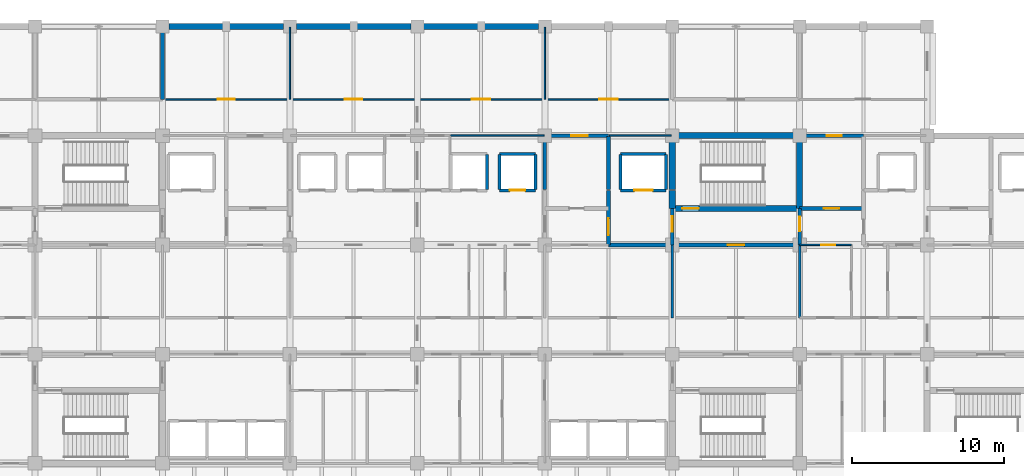
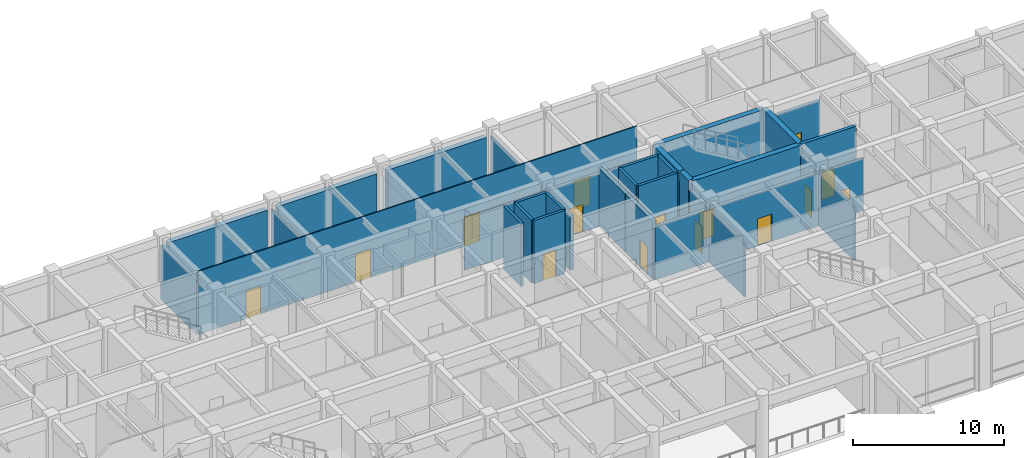
# One storey, part 35 of 51: 35 walls, 15 doors, 15 openings.
"""IFC4 building model written with IfcOpenShell, lengths in metres."""

from ifc_helpers import new_model, si_unit, direction, frame, frame_2d, origin, place, context, subcontext, project, spatial, rectangle, extrude, material, layer, layer_set, type_object, element, fill, save


model = new_model("IFC4")

# Units and contexts
model_context = context("Model", 3, precision=1e-05, world=origin(), true_north=direction((0.0, 1.0)))
body_context = subcontext(model_context, "Body", "Model", "MODEL_VIEW")
ifc_project = project(units=[si_unit("LENGTHUNIT", "METRE"), si_unit("AREAUNIT", "SQUARE_METRE"), si_unit("VOLUMEUNIT", "CUBIC_METRE"), si_unit("PLANEANGLEUNIT", "RADIAN"), si_unit("MASSUNIT", "GRAM", prefix="KILO")], contexts=[model_context])

# Site, building, storey
site_placement = place(None, origin())
site = spatial("IfcSite", under=ifc_project, at=site_placement, CompositionType="ELEMENT")
building_placement = place(site_placement, origin())
building = spatial("IfcBuilding", under=site, at=building_placement, Name="Chengyuan Square Courthouse", CompositionType="ELEMENT")
storey_placement = place(building_placement, frame((0.0, 0.0, 10.800048828125)))
storey = spatial("IfcBuildingStorey", under=building, at=storey_placement, Name="L03", CompositionType="ELEMENT", Elevation=10.800048828125)

# Walls
ifc_material_1 = material(Name="Concrete C40", Category="concrete")
ifc_layer_1 = layer(ifc_material_1, 0.3798828125)
ifc_layer_set_1 = layer_set([ifc_layer_1], Name="Concrete C40")
wall_type_1 = type_object("IfcWallType", Name="WL-EW1", PredefinedType="STANDARD", material=ifc_layer_set_1)
wall_1_placement = place(storey_placement, frame((67.6201171875, 115.199951171875, 0.0), z_axis=(0.0, 0.0, 1.0), x_axis=(1.0, 0.0, 0.0)))
element("IfcWall", 1, at=wall_1_placement, inside=storey, type_object=wall_type_1, Name="Exterior Wall WL-L03-E274", PredefinedType="STANDARD", context=body_context, shape_type="SweptSolid", body=[
    extrude(rectangle(XDim=7.559814453125, YDim=0.3798828125, at=frame_2d((3.77978515625, 0.0))), origin(), (0.0, 0.0, 1.0), 4.469970703125),
])
for number, where, z_axis, x_axis, name in (
    (2, (76.02001953125, 115.199951171875, 0.0), (0.0, 0.0, 1.0), (1.0, 0.0, 0.0), "Exterior Wall WL-L03-E275"),
    (3, (84.419921875, 115.199951171875, 0.0), (0.0, 0.0, 1.0), (1.0, 0.0, 0.0), "Exterior Wall WL-L03-E276"),
):
    element("IfcWall", number, at=place(storey_placement, frame(where, z_axis=z_axis, x_axis=x_axis)), inside=storey, type_object=wall_type_1, Name=name, PredefinedType="STANDARD", context=body_context, shape_type="SweptSolid", body=[
        extrude(rectangle(XDim=7.56005859375, YDim=0.3798828125, at=frame_2d((3.780029296875, 0.0))), origin(), (0.0, 0.0, 1.0), 4.469970703125),
    ])

# Wall, opening, door
ifc_layer_2 = layer(ifc_material_1, 0.25)
ifc_layer_set_2 = layer_set([ifc_layer_2], Name="Concrete C40")
wall_type_2 = type_object("IfcWallType", Name="WL-FW1", PredefinedType="STANDARD", material=ifc_layer_set_2)
wall_2_placement = place(storey_placement, frame((96.60009765625, 100.800048828125, 0.0), z_axis=(0.0, 0.0, 1.0), x_axis=(1.0, 0.0, 0.0)))
wall_2 = element("IfcWall", 4, at=wall_2_placement, inside=storey, type_object=wall_type_2, Name="Interior Wall WL-L03-I1488", PredefinedType="STANDARD", context=body_context, shape_type="SweptSolid", body=[
    extrude(rectangle(XDim=12.599853515625, YDim=0.25, at=frame_2d((6.2998046875, 0.0))), origin(), (0.0, 0.0, 1.0), 4.27001953125),
])
opening_1_placement = place(wall_2_placement, frame((7.85009765625, 0.0, 0.0)))
opening_1 = element("IfcOpeningElement", 5, at=opening_1_placement, cuts=wall_2, Name="Opening DR-1332", PredefinedType="OPENING", context=body_context, shape_type="SweptSolid", body=[
    extrude(rectangle(XDim=1.10009765625, YDim=2.199951171875, at=frame_2d((0.550048828125, 1.10009765625))), frame((0.0, 0.136962890625, 0.0), z_axis=(0.0, -1.0, 0.0), x_axis=(1.0, 0.0, 0.0)), (0.0, 0.0, 1.0), 0.27392578125),
])
ifc_material_2 = material(Name="Steel Q235B Fire Door", Category="steel")
door_type_1 = type_object("IfcDoorType", Name="DT-10", OperationType="NOTDEFINED", PredefinedType="DOOR", material=ifc_material_2)
door_1_placement = place(opening_1_placement, origin())
door_1 = element("IfcDoor", 6, at=door_1_placement, inside=storey, type_object=door_type_1, Name="Interior Door DR-1332", OperationType="SINGLE_SWING_LEFT", OverallHeight=2.199951171875, OverallWidth=1.10009765625, PredefinedType="DOOR", context=body_context, shape_type="SweptSolid", body=[
    extrude(rectangle(XDim=1.10009765625, YDim=2.199951171875, at=frame_2d((0.550048828125, 1.10009765625))), frame((0.0, 0.02490234375, 0.0), z_axis=(0.0, -1.0, 0.0), x_axis=(1.0, 0.0, 0.0)), (0.0, 0.0, 1.0), 0.050048828125),
])
fill(opening_1, door_1)

wall_3_placement = place(storey_placement, frame((109.199951171875, 103.199951171875, 0.0), z_axis=(0.0, 0.0, 1.0), x_axis=(1.0, 0.0, 0.0)))
wall_3 = element("IfcWall", 7, at=wall_3_placement, inside=storey, type_object=wall_type_2, Name="Interior Wall WL-L03-I1505", PredefinedType="STANDARD", context=body_context, shape_type="SweptSolid", body=[
    extrude(rectangle(XDim=4.199951171875, YDim=0.25, at=frame_2d((2.10009765625, 0.0))), origin(), (0.0, 0.0, 1.0), 5.119873046875),
])
opening_2_placement = place(wall_3_placement, frame((1.60009765625, 0.0, 0.0)))
opening_2 = element("IfcOpeningElement", 8, at=opening_2_placement, cuts=wall_3, Name="Opening DR-1408", PredefinedType="OPENING", context=body_context, shape_type="SweptSolid", body=[
    extrude(rectangle(XDim=1.0, YDim=2.199951171875, at=frame_2d((0.5, 1.10009765625))), frame((0.0, 0.136962890625, 0.0), z_axis=(0.0, -1.0, 0.0), x_axis=(1.0, 0.0, 0.0)), (0.0, 0.0, 1.0), 0.27392578125),
])
door_type_2 = type_object("IfcDoorType", Name="DT-11", OperationType="NOTDEFINED", PredefinedType="DOOR", material=ifc_material_2)
door_2_placement = place(opening_2_placement, origin())
door_2 = element("IfcDoor", 9, at=door_2_placement, inside=storey, type_object=door_type_2, Name="Interior Door DR-1408", OperationType="SINGLE_SWING_RIGHT", OverallHeight=2.199951171875, OverallWidth=1.0, PredefinedType="DOOR", context=body_context, shape_type="SweptSolid", body=[
    extrude(rectangle(XDim=1.0, YDim=2.199951171875, at=frame_2d((0.5, 1.10009765625))), frame((0.0, 0.02490234375, 0.0), z_axis=(0.0, -1.0, 0.0), x_axis=(1.0, 0.0, 0.0)), (0.0, 0.0, 1.0), 0.050048828125),
])
fill(opening_2, door_2)

wall_4_placement = place(storey_placement, frame((92.39990234375, 108.0, 0.0), z_axis=(0.0, 0.0, 1.0), x_axis=(1.0, 0.0, 0.0)))
wall_4 = element("IfcWall", 10, at=wall_4_placement, inside=storey, type_object=wall_type_2, Name="Interior Wall WL-L03-I1539", PredefinedType="STANDARD", context=body_context, shape_type="SweptSolid", body=[
    extrude(rectangle(XDim=4.2001953125, YDim=0.25, at=frame_2d((2.10009765625, 0.0))), origin(), (0.0, 0.0, 1.0), 4.27001953125),
])
opening_3_placement = place(wall_4_placement, frame((1.735107421875, 0.0, 0.0)))
opening_3 = element("IfcOpeningElement", 11, at=opening_3_placement, cuts=wall_4, Name="Opening DR-1380", PredefinedType="OPENING", context=body_context, shape_type="SweptSolid", body=[
    extrude(rectangle(XDim=1.10009765625, YDim=2.199951171875, at=frame_2d((0.550048828125, 1.10009765625))), frame((0.0, 0.136962890625, 0.0), z_axis=(0.0, -1.0, 0.0), x_axis=(1.0, 0.0, 0.0)), (0.0, 0.0, 1.0), 0.27392578125),
])
door_3_placement = place(opening_3_placement, origin())
door_3 = element("IfcDoor", 12, at=door_3_placement, inside=storey, type_object=door_type_1, Name="Interior Door DR-1380", OperationType="SINGLE_SWING_LEFT", OverallHeight=2.199951171875, OverallWidth=1.10009765625, PredefinedType="DOOR", context=body_context, shape_type="SweptSolid", body=[
    extrude(rectangle(XDim=1.10009765625, YDim=2.199951171875, at=frame_2d((0.550048828125, 1.10009765625))), frame((0.0, 0.02490234375, 0.0), z_axis=(0.0, -1.0, 0.0), x_axis=(1.0, 0.0, 0.0)), (0.0, 0.0, 1.0), 0.050048828125),
])
fill(opening_3, door_3)

wall_5_placement = place(storey_placement, frame((109.199951171875, 108.0, 0.0), z_axis=(0.0, 0.0, 1.0), x_axis=(1.0, 0.0, 0.0)))
wall_5 = element("IfcWall", 13, at=wall_5_placement, inside=storey, type_object=wall_type_2, Name="Interior Wall WL-L03-I1542", PredefinedType="STANDARD", context=body_context, shape_type="SweptSolid", body=[
    extrude(rectangle(XDim=4.199951171875, YDim=0.25, at=frame_2d((2.10009765625, 0.0))), origin(), (0.0, 0.0, 1.0), 4.27001953125),
])
opening_4_placement = place(wall_5_placement, frame((1.784912109375, 0.0, 0.0)))
opening_4 = element("IfcOpeningElement", 14, at=opening_4_placement, cuts=wall_5, Name="Opening DR-1411", PredefinedType="OPENING", context=body_context, shape_type="SweptSolid", body=[
    extrude(rectangle(XDim=1.0, YDim=2.199951171875, at=frame_2d((0.5, 1.10009765625))), frame((0.0, 0.136962890625, 0.0), z_axis=(0.0, -1.0, 0.0), x_axis=(1.0, 0.0, 0.0)), (0.0, 0.0, 1.0), 0.27392578125),
])
door_4_placement = place(opening_4_placement, origin())
door_4 = element("IfcDoor", 15, at=door_4_placement, inside=storey, type_object=door_type_2, Name="Interior Door DR-1411", OperationType="SINGLE_SWING_LEFT", OverallHeight=2.199951171875, OverallWidth=1.0, PredefinedType="DOOR", context=body_context, shape_type="SweptSolid", body=[
    extrude(rectangle(XDim=1.0, YDim=2.199951171875, at=frame_2d((0.5, 1.10009765625))), frame((0.0, 0.02490234375, 0.0), z_axis=(0.0, -1.0, 0.0), x_axis=(1.0, 0.0, 0.0)), (0.0, 0.0, 1.0), 0.050048828125),
])
fill(opening_4, door_4)

# Walls
wall_6_placement = place(storey_placement, frame((67.199951171875, 110.39990234375, 0.0), z_axis=(0.0, 0.0, 1.0), x_axis=(0.0, 1.0, 0.0)))
element("IfcWall", 16, at=wall_6_placement, inside=storey, type_object=wall_type_2, Name="Interior Wall WL-L03-I1618", PredefinedType="STANDARD", context=body_context, shape_type="SweptSolid", body=[
    extrude(rectangle(XDim=4.760009765625, YDim=0.25, at=frame_2d((2.3798828125, 0.0))), origin(), (0.0, 0.0, 1.0), 4.369873046875),
])
wall_7_placement = place(storey_placement, frame((92.39990234375, 104.449951171875, 0.0), z_axis=(0.0, 0.0, 1.0), x_axis=(0.0, 1.0, 0.0)))
element("IfcWall", 17, at=wall_7_placement, inside=storey, type_object=wall_type_2, Name="Interior Wall WL-L03-I1657", PredefinedType="STANDARD", context=body_context, shape_type="SweptSolid", body=[
    extrude(rectangle(XDim=3.5, YDim=0.25, at=frame_2d((1.75, 0.0))), origin(), (0.0, 0.0, 1.0), 4.369873046875),
])

# Wall, opening, door
wall_8_placement = place(storey_placement, frame((96.60009765625, 100.800048828125, 0.0), z_axis=(0.0, 0.0, 1.0), x_axis=(0.0, 1.0, 0.0)))
wall_8 = element("IfcWall", 18, at=wall_8_placement, inside=storey, type_object=wall_type_2, Name="Interior Wall WL-L03-I1661", PredefinedType="STANDARD", context=body_context, shape_type="SweptSolid", body=[
    extrude(rectangle(XDim=3.599853515625, YDim=0.25, at=frame_2d((1.7998046875, 0.0))), origin(), (0.0, 0.0, 1.0), 4.719970703125),
])
opening_5_placement = place(wall_8_placement, frame((0.64990234375, 0.0, 0.0)))
opening_5 = element("IfcOpeningElement", 19, at=opening_5_placement, cuts=wall_8, Name="Opening DR-1377", PredefinedType="OPENING", context=body_context, shape_type="SweptSolid", body=[
    extrude(rectangle(XDim=1.10009765625, YDim=2.199951171875, at=frame_2d((0.550048828125, 1.10009765625))), frame((0.0, 0.136962890625, 0.0), z_axis=(0.0, -1.0, 0.0), x_axis=(1.0, 0.0, 0.0)), (0.0, 0.0, 1.0), 0.27392578125),
])
door_5_placement = place(opening_5_placement, origin())
door_5 = element("IfcDoor", 20, at=door_5_placement, inside=storey, type_object=door_type_1, Name="Interior Door DR-1377", OperationType="SINGLE_SWING_RIGHT", OverallHeight=2.199951171875, OverallWidth=1.10009765625, PredefinedType="DOOR", context=body_context, shape_type="SweptSolid", body=[
    extrude(rectangle(XDim=1.10009765625, YDim=2.199951171875, at=frame_2d((0.550048828125, 1.10009765625))), frame((0.0, 0.02490234375, 0.0), z_axis=(0.0, -1.0, 0.0), x_axis=(1.0, 0.0, 0.0)), (0.0, 0.0, 1.0), 0.050048828125),
])
fill(opening_5, door_5)

# Wall
wall_9_placement = place(storey_placement, frame((96.60009765625, 104.449951171875, 0.0), z_axis=(0.0, 0.0, 1.0), x_axis=(0.0, 1.0, 0.0)))
element("IfcWall", 21, at=wall_9_placement, inside=storey, type_object=wall_type_2, Name="Interior Wall WL-L03-I1662", PredefinedType="STANDARD", context=body_context, shape_type="SweptSolid", body=[
    extrude(rectangle(XDim=3.5, YDim=0.25, at=frame_2d((1.75, 0.0))), origin(), (0.0, 0.0, 1.0), 4.719970703125),
])

# Wall, opening, door
wall_10_placement = place(storey_placement, frame((100.800048828125, 100.800048828125, 0.0), z_axis=(0.0, 0.0, 1.0), x_axis=(0.0, 1.0, 0.0)))
wall_10 = element("IfcWall", 22, at=wall_10_placement, inside=storey, type_object=wall_type_2, Name="Interior Wall WL-L03-I1672", PredefinedType="STANDARD", context=body_context, shape_type="SweptSolid", body=[
    extrude(rectangle(XDim=2.39990234375, YDim=0.25, at=frame_2d((1.199951171875, 0.0))), origin(), (0.0, 0.0, 1.0), 4.369873046875),
])
opening_6_placement = place(wall_10_placement, frame((0.885009765625, 0.0, 0.0)))
opening_6 = element("IfcOpeningElement", 23, at=opening_6_placement, cuts=wall_10, Name="Opening DR-1330", PredefinedType="OPENING", context=body_context, shape_type="SweptSolid", body=[
    extrude(rectangle(XDim=1.0, YDim=2.199951171875, at=frame_2d((0.5, 1.10009765625))), frame((0.0, 0.136962890625, 0.0), z_axis=(0.0, -1.0, 0.0), x_axis=(1.0, 0.0, 0.0)), (0.0, 0.0, 1.0), 0.27392578125),
])
door_6_placement = place(opening_6_placement, origin())
door_6 = element("IfcDoor", 24, at=door_6_placement, inside=storey, type_object=door_type_2, Name="Interior Door DR-1330", OperationType="SINGLE_SWING_LEFT", OverallHeight=2.199951171875, OverallWidth=1.0, PredefinedType="DOOR", context=body_context, shape_type="SweptSolid", body=[
    extrude(rectangle(XDim=1.0, YDim=2.199951171875, at=frame_2d((0.5, 1.10009765625))), frame((0.0, 0.02490234375, 0.0), z_axis=(0.0, -1.0, 0.0), x_axis=(1.0, 0.0, 0.0)), (0.0, 0.0, 1.0), 0.050048828125),
])
fill(opening_6, door_6)

wall_11_placement = place(storey_placement, frame((109.199951171875, 100.800048828125, 0.0), z_axis=(0.0, 0.0, 1.0), x_axis=(0.0, 1.0, 0.0)))
wall_11 = element("IfcWall", 25, at=wall_11_placement, inside=storey, type_object=wall_type_2, Name="Interior Wall WL-L03-I1680", PredefinedType="STANDARD", context=body_context, shape_type="SweptSolid", body=[
    extrude(rectangle(XDim=2.39990234375, YDim=0.25, at=frame_2d((1.199951171875, 0.0))), origin(), (0.0, 0.0, 1.0), 4.369873046875),
])
opening_7_placement = place(wall_11_placement, frame((0.909912109375, 0.0, 0.0)))
opening_7 = element("IfcOpeningElement", 26, at=opening_7_placement, cuts=wall_11, Name="Opening DR-1331", PredefinedType="OPENING", context=body_context, shape_type="SweptSolid", body=[
    extrude(rectangle(XDim=0.949951171875, YDim=2.14990234375, at=frame_2d((0.47509765625, 1.074951171875))), frame((0.0, 0.136962890625, 0.0), z_axis=(0.0, -1.0, 0.0), x_axis=(1.0, 0.0, 0.0)), (0.0, 0.0, 1.0), 0.27392578125),
])
door_type_3 = type_object("IfcDoorType", Name="DT-12", OperationType="NOTDEFINED", PredefinedType="DOOR", material=ifc_material_2)
door_7_placement = place(opening_7_placement, origin())
door_7 = element("IfcDoor", 27, at=door_7_placement, inside=storey, type_object=door_type_3, Name="Interior Door DR-1331", OperationType="SINGLE_SWING_RIGHT", OverallHeight=2.14990234375, OverallWidth=0.949951171875, PredefinedType="DOOR", context=body_context, shape_type="SweptSolid", body=[
    extrude(rectangle(XDim=0.949951171875, YDim=2.14990234375, at=frame_2d((0.47509765625, 1.074951171875))), frame((0.0, 0.02490234375, 0.0), z_axis=(0.0, -1.0, 0.0), x_axis=(1.0, 0.0, 0.0)), (0.0, 0.0, 1.0), 0.050048828125),
])
fill(opening_7, door_7)

# Walls
ifc_material_3 = material(Name="Deliberation Room Sound-Insulated Partition")
ifc_layer_3 = layer(ifc_material_3, 0.14990234375)
ifc_layer_set_3 = layer_set([ifc_layer_3], Name="Deliberation Room Sound-Insulated Partition")
wall_type_3 = type_object("IfcWallType", Name="WL-PT3", PredefinedType="STANDARD", material=ifc_layer_set_3)
for number, where, z_axis, x_axis, name in (
    (28, (100.800048828125, 96.0, 0.0), (0.0, 0.0, 1.0), (0.0, 1.0, 0.0), "Interior Wall WL-L03-I1671"),
    (29, (109.199951171875, 96.0, 0.0), (0.0, 0.0, 1.0), (0.0, 1.0, 0.0), "Interior Wall WL-L03-I1679"),
):
    element("IfcWall", number, at=place(storey_placement, frame(where, z_axis=z_axis, x_axis=x_axis)), inside=storey, type_object=wall_type_3, Name=name, PredefinedType="STANDARD", context=body_context, shape_type="SweptSolid", body=[
        extrude(rectangle(XDim=4.800048828125, YDim=0.14990234375, at=frame_2d((2.39990234375, 0.0))), origin(), (0.0, 0.0, 1.0), 4.369873046875),
    ])

# Wall, opening, door
ifc_material_4 = material(Name="Gypsum Plasterboard Acoustic Stud Partition")
ifc_layer_4 = layer(ifc_material_4, 0.10009765625)
ifc_layer_set_4 = layer_set([ifc_layer_4], Name="Gypsum Plasterboard Acoustic Stud Partition")
wall_type_4 = type_object("IfcWallType", Name="WL-PT6", PredefinedType="STANDARD", material=ifc_layer_set_4)
wall_12_placement = place(storey_placement, frame((109.199951171875, 100.800048828125, 0.0), z_axis=(0.0, 0.0, 1.0), x_axis=(1.0, 0.0, 0.0)))
wall_12 = element("IfcWall", 30, at=wall_12_placement, inside=storey, type_object=wall_type_4, Name="Interior Wall WL-L03-I1489", PredefinedType="STANDARD", context=body_context, shape_type="SweptSolid", body=[
    extrude(rectangle(XDim=3.400146484375, YDim=0.10009765625, at=frame_2d((1.7001953125, 0.0))), origin(), (0.0, 0.0, 1.0), 4.27001953125),
])
opening_8_placement = place(wall_12_placement, frame((1.425048828125, 0.0, 0.0)))
opening_8 = element("IfcOpeningElement", 31, at=opening_8_placement, cuts=wall_12, Name="Opening DR-1410", PredefinedType="OPENING", context=body_context, shape_type="SweptSolid", body=[
    extrude(rectangle(XDim=0.919921875, YDim=2.14990234375, at=frame_2d((0.4599609375, 1.074951171875))), frame((0.0, 0.06201171875, 0.0), z_axis=(0.0, -1.0, 0.0), x_axis=(1.0, 0.0, 0.0)), (0.0, 0.0, 1.0), 0.1240234375),
])
ifc_material_5 = material(Name="Acoustic Solid-Core Timber Door", Category="wood")
door_type_4 = type_object("IfcDoorType", Name="DT-29", OperationType="NOTDEFINED", PredefinedType="DOOR", material=ifc_material_5)
door_8_placement = place(opening_8_placement, origin())
door_8 = element("IfcDoor", 32, at=door_8_placement, inside=storey, type_object=door_type_4, Name="Interior Door DR-1410", OperationType="SINGLE_SWING_RIGHT", OverallHeight=2.14990234375, OverallWidth=0.919921875, PredefinedType="DOOR", context=body_context, shape_type="SweptSolid", body=[
    extrude(rectangle(XDim=0.919921875, YDim=2.14990234375, at=frame_2d((0.4599609375, 1.074951171875))), frame((0.0, 0.02490234375, 0.0), z_axis=(0.0, -1.0, 0.0), x_axis=(1.0, 0.0, 0.0)), (0.0, 0.0, 1.0), 0.050048828125),
])
fill(opening_8, door_8)

# Walls
wall_13_placement = place(storey_placement, frame((86.199951171875, 108.0, 0.0), z_axis=(0.0, 0.0, 1.0), x_axis=(1.0, 0.0, 0.0)))
element("IfcWall", 33, at=wall_13_placement, inside=storey, type_object=wall_type_4, Name="Interior Wall WL-L03-I1538", PredefinedType="STANDARD", context=body_context, shape_type="SweptSolid", body=[
    extrude(rectangle(XDim=6.150146484375, YDim=0.10009765625, at=frame_2d((3.0751953125, 0.0))), origin(), (0.0, 0.0, 1.0), 4.27001953125),
])
wall_14_placement = place(storey_placement, frame((96.64990234375, 108.0, 0.0), z_axis=(0.0, 0.0, 1.0), x_axis=(1.0, 0.0, 0.0)))
element("IfcWall", 34, at=wall_14_placement, inside=storey, type_object=wall_type_4, Name="Interior Wall WL-L03-I1540", PredefinedType="STANDARD", context=body_context, shape_type="SweptSolid", body=[
    extrude(rectangle(XDim=4.10009765625, YDim=0.10009765625, at=frame_2d((2.050048828125, 0.0))), origin(), (0.0, 0.0, 1.0), 4.27001953125),
])

# Wall, openings, doors
wall_15_placement = place(storey_placement, frame((67.199951171875, 110.39990234375, 0.0), z_axis=(0.0, 0.0, 1.0), x_axis=(1.0, 0.0, 0.0)))
wall_15 = element("IfcWall", 35, at=wall_15_placement, inside=storey, type_object=wall_type_4, Name="Interior Wall WL-L03-I1546", PredefinedType="STANDARD", context=body_context, shape_type="SweptSolid", body=[
    extrude(rectangle(XDim=33.60009765625, YDim=0.10009765625, at=frame_2d((16.800048828125, 0.0))), origin(), (0.0, 0.0, 1.0), 5.119873046875),
])
opening_9_placement = place(wall_15_placement, frame((3.639892578125, 0.0, 0.0)))
opening_9 = element("IfcOpeningElement", 36, at=opening_9_placement, cuts=wall_15, Name="Opening DR-1568", PredefinedType="OPENING", context=body_context, shape_type="SweptSolid", body=[
    extrude(rectangle(XDim=1.1201171875, YDim=2.25, at=frame_2d((0.56005859375, 1.125))), frame((0.0, 0.06201171875, 0.0), z_axis=(0.0, -1.0, 0.0), x_axis=(1.0, 0.0, 0.0)), (0.0, 0.0, 1.0), 0.1240234375),
])
opening_10_placement = place(wall_15_placement, frame((12.02001953125, 0.0, 0.0)))
opening_10 = element("IfcOpeningElement", 37, at=opening_10_placement, cuts=wall_15, Name="Opening DR-1569", PredefinedType="OPENING", context=body_context, shape_type="SweptSolid", body=[
    extrude(rectangle(XDim=1.159912109375, YDim=2.300048828125, at=frame_2d((0.580078125, 1.14990234375))), frame((0.0, 0.06201171875, 0.0), z_axis=(0.0, -1.0, 0.0), x_axis=(1.0, 0.0, 0.0)), (0.0, 0.0, 1.0), 0.1240234375),
])
opening_11_placement = place(wall_15_placement, frame((20.39990234375, 0.0, 0.0)))
opening_11 = element("IfcOpeningElement", 38, at=opening_11_placement, cuts=wall_15, Name="Opening DR-1570", PredefinedType="OPENING", context=body_context, shape_type="SweptSolid", body=[
    extrude(rectangle(XDim=1.199951171875, YDim=2.35009765625, at=frame_2d((0.60009765625, 1.175048828125))), frame((0.0, 0.06201171875, 0.0), z_axis=(0.0, -1.0, 0.0), x_axis=(1.0, 0.0, 0.0)), (0.0, 0.0, 1.0), 0.1240234375),
])
opening_12_placement = place(wall_15_placement, frame((28.780029296875, 0.0, 0.0)))
opening_12 = element("IfcOpeningElement", 39, at=opening_12_placement, cuts=wall_15, Name="Opening DR-1571", PredefinedType="OPENING", context=body_context, shape_type="SweptSolid", body=[
    extrude(rectangle(XDim=1.239990234375, YDim=2.300048828125, at=frame_2d((0.6201171875, 1.14990234375))), frame((0.0, 0.06201171875, 0.0), z_axis=(0.0, -1.0, 0.0), x_axis=(1.0, 0.0, 0.0)), (0.0, 0.0, 1.0), 0.1240234375),
])
door_type_5 = type_object("IfcDoorType", Name="DT-34", OperationType="NOTDEFINED", PredefinedType="DOOR", material=ifc_material_5)
door_9_placement = place(opening_9_placement, origin())
door_9 = element("IfcDoor", 40, at=door_9_placement, inside=storey, type_object=door_type_5, Name="Interior Door DR-1568", OperationType="SINGLE_SWING_RIGHT", OverallHeight=2.25, OverallWidth=1.1201171875, PredefinedType="DOOR", context=body_context, shape_type="SweptSolid", body=[
    extrude(rectangle(XDim=1.1201171875, YDim=2.25, at=frame_2d((0.56005859375, 1.125))), frame((0.0, 0.02490234375, 0.0), z_axis=(0.0, -1.0, 0.0), x_axis=(1.0, 0.0, 0.0)), (0.0, 0.0, 1.0), 0.050048828125),
])
fill(opening_9, door_9)
door_type_6 = type_object("IfcDoorType", Name="DT-35", OperationType="NOTDEFINED", PredefinedType="DOOR", material=ifc_material_5)
door_10_placement = place(opening_10_placement, origin())
door_10 = element("IfcDoor", 41, at=door_10_placement, inside=storey, type_object=door_type_6, Name="Interior Door DR-1569", OperationType="SINGLE_SWING_LEFT", OverallHeight=2.300048828125, OverallWidth=1.159912109375, PredefinedType="DOOR", context=body_context, shape_type="SweptSolid", body=[
    extrude(rectangle(XDim=1.159912109375, YDim=2.300048828125, at=frame_2d((0.580078125, 1.14990234375))), frame((0.0, 0.02490234375, 0.0), z_axis=(0.0, -1.0, 0.0), x_axis=(1.0, 0.0, 0.0)), (0.0, 0.0, 1.0), 0.050048828125),
])
fill(opening_10, door_10)
door_type_7 = type_object("IfcDoorType", Name="DT-36", OperationType="NOTDEFINED", PredefinedType="DOOR", material=ifc_material_5)
door_11_placement = place(opening_11_placement, origin())
door_11 = element("IfcDoor", 42, at=door_11_placement, inside=storey, type_object=door_type_7, Name="Interior Door DR-1570", OperationType="SINGLE_SWING_RIGHT", OverallHeight=2.35009765625, OverallWidth=1.199951171875, PredefinedType="DOOR", context=body_context, shape_type="SweptSolid", body=[
    extrude(rectangle(XDim=1.199951171875, YDim=2.35009765625, at=frame_2d((0.60009765625, 1.175048828125))), frame((0.0, 0.02490234375, 0.0), z_axis=(0.0, -1.0, 0.0), x_axis=(1.0, 0.0, 0.0)), (0.0, 0.0, 1.0), 0.050048828125),
])
fill(opening_11, door_11)
door_type_8 = type_object("IfcDoorType", Name="DT-37", OperationType="NOTDEFINED", PredefinedType="DOOR", material=ifc_material_5)
door_12_placement = place(opening_12_placement, origin())
door_12 = element("IfcDoor", 43, at=door_12_placement, inside=storey, type_object=door_type_8, Name="Interior Door DR-1571", OperationType="SINGLE_SWING_LEFT", OverallHeight=2.300048828125, OverallWidth=1.239990234375, PredefinedType="DOOR", context=body_context, shape_type="SweptSolid", body=[
    extrude(rectangle(XDim=1.239990234375, YDim=2.300048828125, at=frame_2d((0.6201171875, 1.14990234375))), frame((0.0, 0.02490234375, 0.0), z_axis=(0.0, -1.0, 0.0), x_axis=(1.0, 0.0, 0.0)), (0.0, 0.0, 1.0), 0.050048828125),
])
fill(opening_12, door_12)

# Walls
for number, where, z_axis, x_axis, name in (
    (44, (75.60009765625, 110.39990234375, 0.0), (0.0, 0.0, 1.0), (0.0, 1.0, 0.0), "Interior Wall WL-L03-I1634"),
    (45, (92.39990234375, 110.39990234375, 0.0), (0.0, 0.0, 1.0), (0.0, 1.0, 0.0), "Interior Wall WL-L03-I1658"),
):
    element("IfcWall", number, at=place(storey_placement, frame(where, z_axis=z_axis, x_axis=x_axis)), inside=storey, type_object=wall_type_4, Name=name, PredefinedType="STANDARD", context=body_context, shape_type="SweptSolid", body=[
        extrude(rectangle(XDim=4.760009765625, YDim=0.10009765625, at=frame_2d((2.3798828125, 0.0))), origin(), (0.0, 0.0, 1.0), 4.369873046875),
    ])

# Wall, opening, door
ifc_material_6 = material(Name="Reinforced Masonry Shaft Enclosure", Category="masonry")
ifc_layer_5 = layer(ifc_material_6, 0.199951171875)
ifc_layer_set_5 = layer_set([ifc_layer_5], Name="Reinforced Masonry Shaft Enclosure")
wall_type_5 = type_object("IfcWallType", Name="WL-SH1", PredefinedType="STANDARD", material=ifc_layer_set_5)
wall_16_placement = place(storey_placement, frame((89.39990234375, 104.39990234375, 0.0), z_axis=(0.0, 0.0, 1.0), x_axis=(1.0, 0.0, 0.0)))
wall_16 = element("IfcWall", 46, at=wall_16_placement, inside=storey, type_object=wall_type_5, Name="Interior Wall WL-L03-I1516", PredefinedType="STANDARD", context=body_context, shape_type="SweptSolid", body=[
    extrude(rectangle(XDim=2.400146484375, YDim=0.199951171875, at=frame_2d((1.2001953125, 0.0))), origin(), (0.0, 0.0, 1.0), 5.119873046875),
])
opening_13_placement = place(wall_16_placement, frame((0.699951171875, 0.0, 0.0)))
opening_13 = element("IfcOpeningElement", 47, at=opening_13_placement, cuts=wall_16, Name="Opening LD-060", PredefinedType="OPENING", context=body_context, shape_type="SweptSolid", body=[
    extrude(rectangle(XDim=1.0, YDim=2.14990234375, at=frame_2d((0.5, 1.074951171875))), frame((0.0, 0.112060546875, 0.0), z_axis=(0.0, -1.0, 0.0), x_axis=(1.0, 0.0, 0.0)), (0.0, 0.0, 1.0), 0.223876953125),
])
ifc_material_7 = material(Name="Stainless Steel S30408 Lift Landing Door", Category="steel")
door_type_9 = type_object("IfcDoorType", Name="DT-07", OperationType="DOUBLE_DOOR_SLIDING", PredefinedType="DOOR", material=ifc_material_7)
door_13_placement = place(opening_13_placement, origin())
door_13 = element("IfcDoor", 48, at=door_13_placement, inside=storey, type_object=door_type_9, Name="Lift Landing Door LF-J4 L03", OperationType="DOUBLE_DOOR_SLIDING", OverallHeight=2.14990234375, OverallWidth=1.0, PredefinedType="DOOR", context=body_context, shape_type="SweptSolid", body=[
    extrude(rectangle(XDim=1.0, YDim=2.14990234375, at=frame_2d((0.5, 1.074951171875))), frame((0.0, 0.02490234375, 0.0), z_axis=(0.0, -1.0, 0.0), x_axis=(1.0, 0.0, 0.0)), (0.0, 0.0, 1.0), 0.050048828125),
])
fill(opening_13, door_13)

wall_17_placement = place(storey_placement, frame((97.39990234375, 104.39990234375, 0.0), z_axis=(0.0, 0.0, 1.0), x_axis=(1.0, 0.0, 0.0)))
wall_17 = element("IfcWall", 49, at=wall_17_placement, inside=storey, type_object=wall_type_5, Name="Interior Wall WL-L03-I1517", PredefinedType="STANDARD", context=body_context, shape_type="SweptSolid", body=[
    extrude(rectangle(XDim=3.0, YDim=0.199951171875, at=frame_2d((1.5, 0.0))), origin(), (0.0, 0.0, 1.0), 5.119873046875),
])
opening_14_placement = place(wall_17_placement, frame((0.89990234375, 0.0, 0.0)))
opening_14 = element("IfcOpeningElement", 50, at=opening_14_placement, cuts=wall_17, Name="Opening LD-054", PredefinedType="OPENING", context=body_context, shape_type="SweptSolid", body=[
    extrude(rectangle(XDim=1.199951171875, YDim=2.14990234375, at=frame_2d((0.60009765625, 1.074951171875))), frame((0.0, 0.112060546875, 0.0), z_axis=(0.0, -1.0, 0.0), x_axis=(1.0, 0.0, 0.0)), (0.0, 0.0, 1.0), 0.223876953125),
])
door_type_10 = type_object("IfcDoorType", Name="DT-05", OperationType="DOUBLE_DOOR_SLIDING", PredefinedType="DOOR", material=ifc_material_7)
door_14_placement = place(opening_14_placement, origin())
door_14 = element("IfcDoor", 51, at=door_14_placement, inside=storey, type_object=door_type_10, Name="Lift Landing Door LF-F2 L03", OperationType="DOUBLE_DOOR_SLIDING", OverallHeight=2.14990234375, OverallWidth=1.199951171875, PredefinedType="DOOR", context=body_context, shape_type="SweptSolid", body=[
    extrude(rectangle(XDim=1.199951171875, YDim=2.14990234375, at=frame_2d((0.60009765625, 1.074951171875))), frame((0.0, 0.02490234375, 0.0), z_axis=(0.0, -1.0, 0.0), x_axis=(1.0, 0.0, 0.0)), (0.0, 0.0, 1.0), 0.050048828125),
])
fill(opening_14, door_14)

# Walls
wall_18_placement = place(storey_placement, frame((89.39990234375, 106.800048828125, 0.0), z_axis=(0.0, 0.0, 1.0), x_axis=(1.0, 0.0, 0.0)))
element("IfcWall", 52, at=wall_18_placement, inside=storey, type_object=wall_type_5, Name="Interior Wall WL-L03-I1527", PredefinedType="STANDARD", context=body_context, shape_type="SweptSolid", body=[
    extrude(rectangle(XDim=2.400146484375, YDim=0.199951171875, at=frame_2d((1.2001953125, 0.0))), origin(), (0.0, 0.0, 1.0), 5.119873046875),
])
wall_19_placement = place(storey_placement, frame((97.39990234375, 106.800048828125, 0.0), z_axis=(0.0, 0.0, 1.0), x_axis=(1.0, 0.0, 0.0)))
element("IfcWall", 53, at=wall_19_placement, inside=storey, type_object=wall_type_5, Name="Interior Wall WL-L03-I1528", PredefinedType="STANDARD", context=body_context, shape_type="SweptSolid", body=[
    extrude(rectangle(XDim=3.0, YDim=0.199951171875, at=frame_2d((1.5, 0.0))), origin(), (0.0, 0.0, 1.0), 5.119873046875),
])
for number, where, z_axis, x_axis, name in (
    (54, (88.60009765625, 104.449951171875, 0.0), (0.0, 0.0, 1.0), (0.0, 1.0, 0.0), "Interior Wall WL-L03-I1647"),
    (55, (89.39990234375, 104.449951171875, 0.0), (0.0, 0.0, 1.0), (0.0, 1.0, 0.0), "Interior Wall WL-L03-I1648"),
    (56, (91.800048828125, 104.449951171875, 0.0), (0.0, 0.0, 1.0), (0.0, 1.0, 0.0), "Interior Wall WL-L03-I1651"),
    (57, (97.39990234375, 104.449951171875, 0.0), (0.0, 0.0, 1.0), (0.0, 1.0, 0.0), "Interior Wall WL-L03-I1663"),
    (58, (100.39990234375, 104.449951171875, 0.0), (0.0, 0.0, 1.0), (0.0, 1.0, 0.0), "Interior Wall WL-L03-I1666"),
):
    element("IfcWall", number, at=place(storey_placement, frame(where, z_axis=z_axis, x_axis=x_axis)), inside=storey, type_object=wall_type_5, Name=name, PredefinedType="STANDARD", context=body_context, shape_type="SweptSolid", body=[
        extrude(rectangle(XDim=2.300048828125, YDim=0.199951171875, at=frame_2d((1.14990234375, 0.0))), origin(), (0.0, 0.0, 1.0), 5.119873046875),
    ])

# Wall, opening, door
ifc_material_8 = material(Name="Concrete C50", Category="concrete")
ifc_layer_6 = layer(ifc_material_8, 0.39990234375)
ifc_layer_set_6 = layer_set([ifc_layer_6], Name="Concrete C50")
wall_type_6 = type_object("IfcWallType", Name="WL-SW1", PredefinedType="SHEAR", material=ifc_layer_set_6)
wall_20_placement = place(storey_placement, frame((100.800048828125, 103.199951171875, 0.0), z_axis=(0.0, 0.0, 1.0), x_axis=(1.0, 0.0, 0.0)))
wall_20 = element("IfcWall", 59, at=wall_20_placement, inside=storey, type_object=wall_type_6, Name="Interior Wall WL-L03-I1504", PredefinedType="SHEAR", context=body_context, shape_type="SweptSolid", body=[
    extrude(rectangle(XDim=8.39990234375, YDim=0.39990234375, at=frame_2d((4.199951171875, 0.0))), origin(), (0.0, 0.0, 1.0), 5.119873046875),
])
opening_15_placement = place(wall_20_placement, frame((0.64990234375, 0.0, 0.0)))
opening_15 = element("IfcOpeningElement", 60, at=opening_15_placement, cuts=wall_20, Name="Opening DR-1318", PredefinedType="OPENING", context=body_context, shape_type="SweptSolid", body=[
    extrude(rectangle(XDim=1.10009765625, YDim=2.199951171875, at=frame_2d((0.550048828125, 1.10009765625))), frame((0.0, 0.2119140625, 0.0), z_axis=(0.0, -1.0, 0.0), x_axis=(1.0, 0.0, 0.0)), (0.0, 0.0, 1.0), 0.423828125),
])
door_15_placement = place(opening_15_placement, origin())
door_15 = element("IfcDoor", 61, at=door_15_placement, inside=storey, type_object=door_type_1, Name="Smoke-Proof Stairwell Fire Door ST-2 DR-1318", OperationType="SINGLE_SWING_LEFT", OverallHeight=2.199951171875, OverallWidth=1.10009765625, PredefinedType="DOOR", context=body_context, shape_type="SweptSolid", body=[
    extrude(rectangle(XDim=1.10009765625, YDim=2.199951171875, at=frame_2d((0.550048828125, 1.10009765625))), frame((0.0, 0.02490234375, 0.0), z_axis=(0.0, -1.0, 0.0), x_axis=(1.0, 0.0, 0.0)), (0.0, 0.0, 1.0), 0.050048828125),
])
fill(opening_15, door_15)

# Walls
wall_21_placement = place(storey_placement, frame((100.800048828125, 108.0, 0.0), z_axis=(0.0, 0.0, 1.0), x_axis=(1.0, 0.0, 0.0)))
element("IfcWall", 62, at=wall_21_placement, inside=storey, type_object=wall_type_6, Name="Interior Wall WL-L03-I1541", PredefinedType="SHEAR", context=body_context, shape_type="SweptSolid", body=[
    extrude(rectangle(XDim=8.39990234375, YDim=0.39990234375, at=frame_2d((4.199951171875, 0.0))), origin(), (0.0, 0.0, 1.0), 5.119873046875),
])
wall_22_placement = place(storey_placement, frame((100.800048828125, 103.199951171875, 0.0), z_axis=(0.0, 0.0, 1.0), x_axis=(0.0, 1.0, 0.0)))
element("IfcWall", 63, at=wall_22_placement, inside=storey, type_object=wall_type_6, Name="Interior Wall WL-L03-I1673", PredefinedType="SHEAR", context=body_context, shape_type="SweptSolid", body=[
    extrude(rectangle(XDim=1.199951171875, YDim=0.39990234375, at=frame_2d((0.60009765625, 0.0))), origin(), (0.0, 0.0, 1.0), 5.119873046875),
])
wall_23_placement = place(storey_placement, frame((100.800048828125, 104.449951171875, 0.0), z_axis=(0.0, 0.0, 1.0), x_axis=(0.0, 1.0, 0.0)))
element("IfcWall", 64, at=wall_23_placement, inside=storey, type_object=wall_type_6, Name="Interior Wall WL-L03-I1674", PredefinedType="SHEAR", context=body_context, shape_type="SweptSolid", body=[
    extrude(rectangle(XDim=3.5, YDim=0.39990234375, at=frame_2d((1.75, 0.0))), origin(), (0.0, 0.0, 1.0), 5.119873046875),
])
wall_24_placement = place(storey_placement, frame((109.199951171875, 103.199951171875, 0.0), z_axis=(0.0, 0.0, 1.0), x_axis=(0.0, 1.0, 0.0)))
element("IfcWall", 65, at=wall_24_placement, inside=storey, type_object=wall_type_6, Name="Interior Wall WL-L03-I1681", PredefinedType="SHEAR", context=body_context, shape_type="SweptSolid", body=[
    extrude(rectangle(XDim=4.800048828125, YDim=0.39990234375, at=frame_2d((2.39990234375, 0.0))), origin(), (0.0, 0.0, 1.0), 5.119873046875),
])

save(model, "model.ifc")
